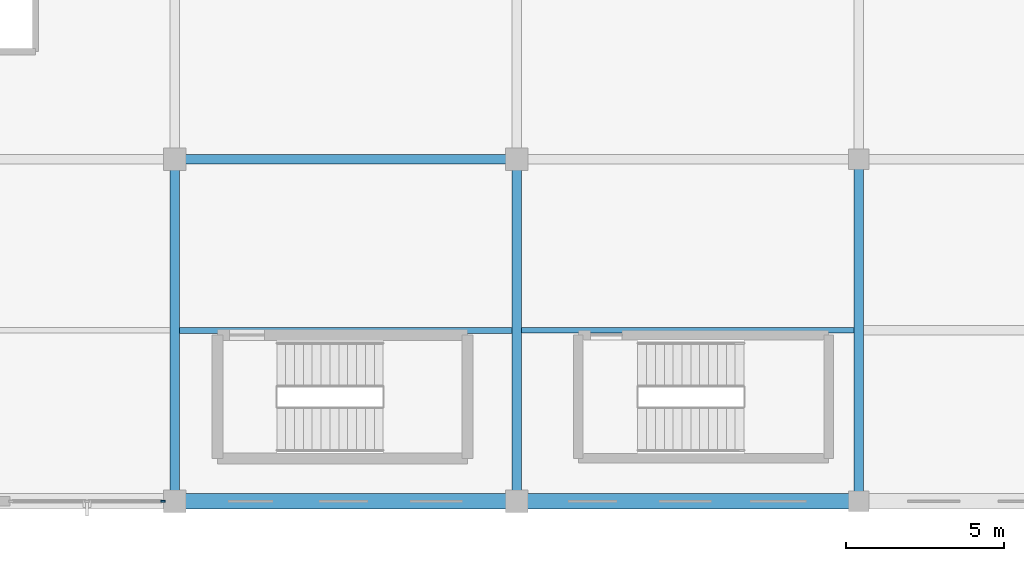
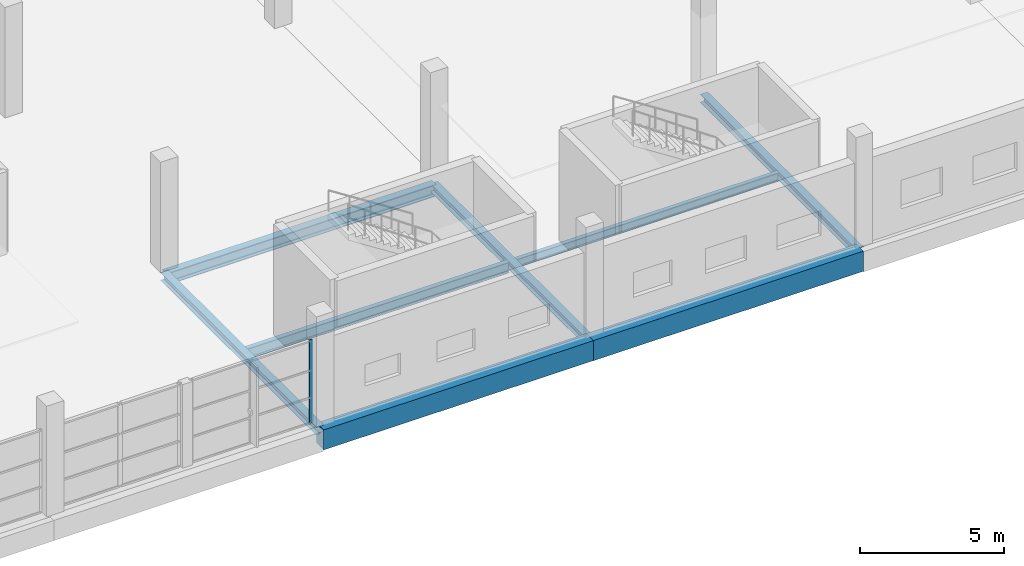
# One storey, part 55 of 142: 8 beams, 1 member, 1 element without a shape of its own.
"""IFC4 building model written with IfcOpenShell, lengths in metres."""

from ifc_helpers import new_model, si_unit, direction, frame, origin, origin_2d, place, context, subcontext, project, spatial, rectangle, i_section, extrude, material, material_profile, profile_set, type_object, element, aggregate, save


model = new_model("IFC4")

# Units and contexts
model_context = context("Model", 3, precision=1e-05, world=origin(), true_north=direction((0.0, 1.0)))
body_context = subcontext(model_context, "Body", "Model", "MODEL_VIEW")
ifc_project = project(units=[si_unit("LENGTHUNIT", "METRE"), si_unit("AREAUNIT", "SQUARE_METRE"), si_unit("VOLUMEUNIT", "CUBIC_METRE"), si_unit("PLANEANGLEUNIT", "RADIAN"), si_unit("MASSUNIT", "GRAM", prefix="KILO")], contexts=[model_context])

# Site, building, storey
site_placement = place(None, origin())
site = spatial("IfcSite", under=ifc_project, at=site_placement, CompositionType="ELEMENT")
building_placement = place(site_placement, origin())
building = spatial("IfcBuilding", under=site, at=building_placement, Name="Zwinboog Wholesale Market", CompositionType="ELEMENT")
storey_placement = place(building_placement, frame((0.0, 0.0, 5.39990234375)))
storey = spatial("IfcBuildingStorey", under=building, at=storey_placement, Name="L01", CompositionType="ELEMENT", Elevation=5.39990234375)

# Beams
ifc_material_1 = material(Name="Precast concrete C45/55", Category="concrete")
ifc_material_profile_1 = material_profile(ifc_material_1, rectangle(XDim=0.5, YDim=0.85009765625, at=origin_2d()), Name="PC 500x850")
ifc_profile_set_1 = profile_set([ifc_material_profile_1], Name="Precast concrete C45/55")
beam_type_1 = type_object("IfcBeamType", Name="BT-03", PredefinedType="BEAM", material=ifc_profile_set_1)
for number, where, z_axis, x_axis, name in (
    (1, (162.0, 0.0, -0.704833984375), (1.0, 0.0, 0.0), (0.0, 1.0, 0.0), "BG-03 (BMG-L01-1620-0000-0420)"),
    (2, (172.800048828125, 0.0, -0.704833984375), (1.0, 0.0, 0.0), (0.0, 1.0, 0.0), "BG-03 (BMG-L01-1728-0000-0421)"),
):
    element("IfcBeam", number, at=place(storey_placement, frame(where, z_axis=z_axis, x_axis=x_axis)), inside=storey, type_object=beam_type_1, Name=name, PredefinedType="BEAM", context=body_context, shape_type="SweptSolid", body=[
        extrude(rectangle(XDim=0.5, YDim=0.85009765625, at=origin_2d()), origin(), (0.0, 0.0, 1.0), 10.800048828125),
    ])
ifc_material_2 = material(Name="Steel S355", Category="steel")
ifc_material_profile_2 = material_profile(ifc_material_2, i_section(OverallWidth=0.300048828125, OverallDepth=0.5, WebThickness=0.014404296875, FlangeThickness=0.028076171875, FilletRadius=0.027099609375, at=origin_2d()), Name="HEB 500")
ifc_profile_set_2 = profile_set([ifc_material_profile_2], Name="Steel S355")
beam_type_2 = type_object("IfcBeamType", Name="BT-14", PredefinedType="BEAM", material=ifc_profile_set_2)
beam_1_placement = place(storey_placement, frame((162.0, 10.800048828125, -0.52978515625), z_axis=(1.0, 0.0, 0.0), x_axis=(0.0, 1.0, 0.0)))
element("IfcBeam", 3, at=beam_1_placement, inside=storey, type_object=beam_type_2, Name="SB-01 (BMG-L01-1620-0108-0432)", PredefinedType="BEAM", context=body_context, shape_type="SweptSolid", body=[
    extrude(i_section(OverallWidth=0.300048828125, OverallDepth=0.5, WebThickness=0.014404296875, FlangeThickness=0.028076171875, FilletRadius=0.027099609375, at=origin_2d()), origin(), (0.0, 0.0, 1.0), 10.800048828125),
])
ifc_material_profile_3 = material_profile(ifc_material_2, i_section(OverallWidth=0.300048828125, OverallDepth=0.35009765625, WebThickness=0.010009765625, FlangeThickness=0.017578125, FilletRadius=0.027099609375, at=origin_2d()), Name="HEA 360")
ifc_profile_set_3 = profile_set([ifc_material_profile_3], Name="Steel S355")
beam_type_3 = type_object("IfcBeamType", Name="BT-17", PredefinedType="BEAM", material=ifc_profile_set_3)
for number, where, z_axis, x_axis, name in (
    (4, (162.0, 0.0, -0.429931640625), (0.0, 1.0, 0.0), (-1.0, 0.0, 0.0), "SB-04 (BMG-L01-1620-0000-0733)"),
    (5, (172.800048828125, 0.0, -0.454833984375), (0.0, 1.0, 0.0), (-1.0, 0.0, 0.0), "SB-04 (BMG-L01-1728-0000-0745)"),
    (6, (183.60009765625, 0.0, -0.454833984375), (0.0, 1.0, 0.0), (-1.0, 0.0, 0.0), "SB-04 (BMG-L01-1836-0000-0757)"),
):
    element("IfcBeam", number, at=place(storey_placement, frame(where, z_axis=z_axis, x_axis=x_axis)), inside=storey, type_object=beam_type_3, Name=name, PredefinedType="BEAM", context=body_context, shape_type="SweptSolid", body=[
        extrude(i_section(OverallWidth=0.300048828125, OverallDepth=0.35009765625, WebThickness=0.010009765625, FlangeThickness=0.017578125, FilletRadius=0.027099609375, at=origin_2d()), origin(), (0.0, 0.0, 1.0), 10.800048828125),
    ])
ifc_material_profile_4 = material_profile(ifc_material_2, i_section(OverallWidth=0.18994140625, OverallDepth=0.449951171875, WebThickness=0.009521484375, FlangeThickness=0.0146484375, FilletRadius=0.02099609375, at=origin_2d()), Name="IPE 450")
ifc_profile_set_4 = profile_set([ifc_material_profile_4], Name="Steel S355")
beam_type_4 = type_object("IfcBeamType", Name="BT-19", PredefinedType="JOIST", material=ifc_profile_set_4)
beam_2_placement = place(storey_placement, frame((162.14990234375, 5.39990234375, -0.5048828125), z_axis=(1.0, 0.0, 0.0), x_axis=(0.0, 1.0, 0.0)))
element("IfcBeam", 7, at=beam_2_placement, inside=storey, type_object=beam_type_4, Name="SJ-02 (BMG-L01-1622-0054-0914)", PredefinedType="JOIST", context=body_context, shape_type="SweptSolid", body=[
    extrude(i_section(OverallWidth=0.18994140625, OverallDepth=0.449951171875, WebThickness=0.009521484375, FlangeThickness=0.0146484375, FilletRadius=0.02099609375, at=origin_2d()), origin(), (0.0, 0.0, 1.0), 10.5),
])
ifc_material_profile_5 = material_profile(ifc_material_2, i_section(OverallWidth=0.169921875, OverallDepth=0.360107421875, WebThickness=0.008056640625, FlangeThickness=0.0126953125, FilletRadius=0.01806640625, at=origin_2d()), Name="IPE 360")
ifc_profile_set_5 = profile_set([ifc_material_profile_5], Name="Steel S355")
beam_type_5 = type_object("IfcBeamType", Name="BT-20", PredefinedType="JOIST", material=ifc_profile_set_5)
beam_3_placement = place(storey_placement, frame((172.949951171875, 5.39990234375, -0.4599609375), z_axis=(1.0, 0.0, 0.0), x_axis=(0.0, 1.0, 0.0)))
element("IfcBeam", 8, at=beam_3_placement, inside=storey, type_object=beam_type_5, Name="SJ-03 (BMG-L01-1730-0054-0892)", PredefinedType="JOIST", context=body_context, shape_type="SweptSolid", body=[
    extrude(i_section(OverallWidth=0.169921875, OverallDepth=0.360107421875, WebThickness=0.008056640625, FlangeThickness=0.0126953125, FilletRadius=0.01806640625, at=origin_2d()), origin(), (0.0, 0.0, 1.0), 10.5),
])

# Curtain wall, member
ifc_material_3 = material(Name="Aluminium thermally broken curtain wall", Category="aluminium")
curtain_wall_type = type_object("IfcCurtainWallType", Name="CWT-OFF-15", PredefinedType="USERDEFINED", material=ifc_material_3)
curtain_wall_placement = place(storey_placement, origin())
curtain_wall = element("IfcCurtainWall", 9, at=curtain_wall_placement, inside=storey, type_object=curtain_wall_type, Name="CW-06 (CW-L01-126)", ObjectType="UNITIZED_CURTAIN_WALL", PredefinedType="USERDEFINED")
ifc_material_4 = material(Name="Aluminium EN AW-6060", Category="aluminium")
ifc_material_profile_6 = material_profile(ifc_material_4, rectangle(XDim=0.06005859375, YDim=0.14990234375, at=origin_2d()), Name="AL 60x150")
ifc_profile_set_6 = profile_set([ifc_material_profile_6], Name="Aluminium EN AW-6060")
member_type = type_object("IfcMemberType", Name="CWM-60x150", PredefinedType="MULLION", material=ifc_profile_set_6)
member_placement = place(storey_placement, frame((161.625, 0.0, 0.0), z_axis=(0.0, 0.0, 1.0), x_axis=(0.0, 1.0, 0.0)))
member = element("IfcMember", 10, at=member_placement, type_object=member_type, Name="CW-06 mullion 3", PredefinedType="MULLION", context=body_context, shape_type="SweptSolid", body=[
    extrude(rectangle(XDim=0.06005859375, YDim=0.14990234375, at=origin_2d()), origin(), (0.0, 0.0, 1.0), 3.530029296875),
])
aggregate(curtain_wall, [member])

save(model, "model.ifc")
